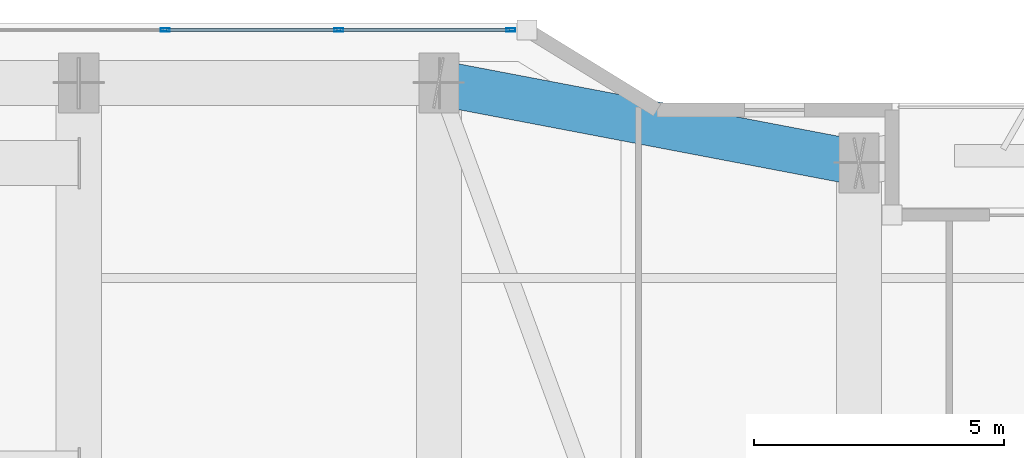
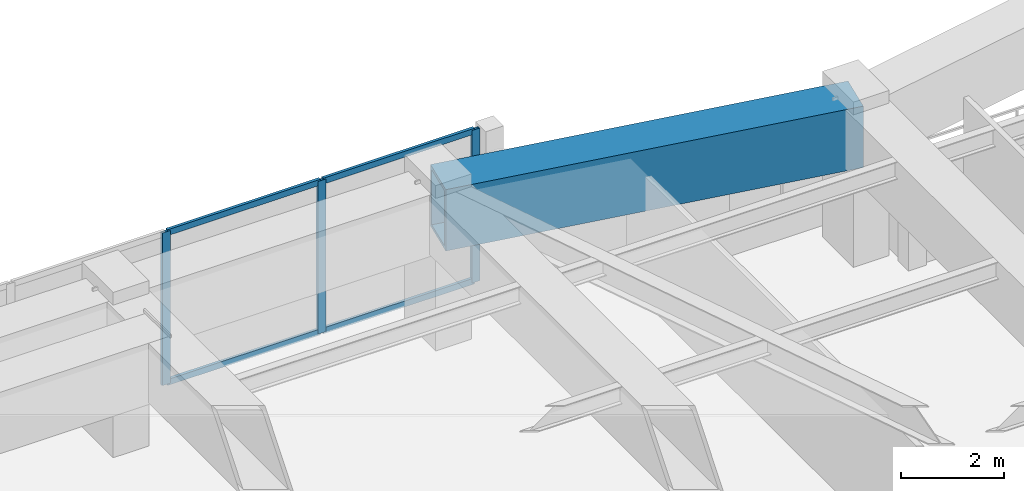
# One storey, part 19 of 30: 7 members, 1 beam, 1 element without a shape of its own.
"""IFC4 building model written with IfcOpenShell, lengths in metres."""

from ifc_helpers import new_model, si_unit, direction, frame, origin, origin_2d, place, context, subcontext, project, spatial, hollow_rectangle, extrude, material, layer, layer_set, material_profile, profile_set, type_object, element, aggregate, save


model = new_model("IFC4")

# Units and contexts
model_context = context("Model", 3, precision=1e-05, world=origin(), true_north=direction((0.0, 1.0)))
body_context = subcontext(model_context, "Body", "Model", "MODEL_VIEW")
ifc_project = project(units=[si_unit("LENGTHUNIT", "METRE"), si_unit("AREAUNIT", "SQUARE_METRE"), si_unit("VOLUMEUNIT", "CUBIC_METRE"), si_unit("PLANEANGLEUNIT", "RADIAN"), si_unit("MASSUNIT", "GRAM", prefix="KILO")], contexts=[model_context])

# Site, building, storey
site_placement = place(None, origin())
site = spatial("IfcSite", under=ifc_project, at=site_placement, CompositionType="ELEMENT")
building_placement = place(site_placement, origin())
building = spatial("IfcBuilding", under=site, at=building_placement, Name="Kiyonajd Concourse Tower", CompositionType="ELEMENT")
storey_placement = place(building_placement, frame((0.0, 0.0, 205.800048828125)))
storey = spatial("IfcBuildingStorey", under=building, at=storey_placement, Name="L52", CompositionType="ELEMENT", Elevation=205.800048828125)

# Beam
ifc_material_1 = material(Name="Steel ASTM A572 Grade 50", Category="steel")
ifc_material_profile_1 = material_profile(ifc_material_1, hollow_rectangle(XDim=0.89990234375, YDim=1.449951171875, WallThickness=0.074951171875, at=origin_2d()), Name="BOX-1450x900x75")
ifc_profile_set_1 = profile_set([ifc_material_profile_1], Name="Steel ASTM A572 Grade 50")
beam_type = type_object("IfcBeamType", Name="BM-XFER-1800", PredefinedType="BEAM", material=ifc_profile_set_1)
beam_placement = place(storey_placement, frame((48.0, 59.60009765625, 2.875), z_axis=(-0.982341315253, 0.187097675953, 0.0), x_axis=(-0.187097675953, -0.982341315253, 0.0)))
element("IfcBeam", 1, at=beam_placement, inside=storey, type_object=beam_type, Name="L52 Perimeter Bundled Tube Spandrel", PredefinedType="BEAM", context=body_context, shape_type="SweptSolid", body=[
    extrude(hollow_rectangle(XDim=0.89990234375, YDim=1.449951171875, WallThickness=0.074951171875, at=origin_2d()), origin(), (0.0, 0.0, 1.0), 8.55078125),
])

# Curtain wall, members
ifc_material_2 = material(Name="Thermally Broken Anodised Aluminium", Category="aluminium")
ifc_layer = layer(ifc_material_2, 0.179931640625)
ifc_layer_set = layer_set([ifc_layer], Name="Thermally Broken Anodised Aluminium")
curtain_wall_type = type_object("IfcCurtainWallType", Name="CW-SYS-03", PredefinedType="NOTDEFINED", material=ifc_layer_set)
curtain_wall_placement = place(storey_placement, origin())
curtain_wall = element("IfcCurtainWall", 2, at=curtain_wall_placement, inside=storey, type_object=curtain_wall_type, Name="L52 Unitised Curtain Wall CW3", PredefinedType="NOTDEFINED")
ifc_material_profile_2 = material_profile(ifc_material_2, hollow_rectangle(XDim=0.06494140625, YDim=0.179931640625, WallThickness=0.00390625, at=origin_2d()), Name="MULL-65x180")
ifc_profile_set_2 = profile_set([ifc_material_profile_2], Name="Thermally Broken Anodised Aluminium")
member_type_1 = type_object("IfcMemberType", Name="MB-CW-MULL1", PredefinedType="MULLION", material=ifc_profile_set_2)
member_1_placement = place(storey_placement, frame((34.12548828125, 62.260009765625, 0.0), z_axis=(0.0, 0.0, 1.0), x_axis=(0.0, 1.0, 0.0)))
member_1 = element("IfcMember", 3, at=member_1_placement, type_object=member_type_1, Name="CW3 mullion 4", PredefinedType="MULLION", context=body_context, shape_type="SweptSolid", body=[
    extrude(hollow_rectangle(XDim=0.06494140625, YDim=0.179931640625, WallThickness=0.00390625, at=origin_2d()), origin(), (0.0, 0.0, 1.0), 3.599853515625),
])
member_2_placement = place(storey_placement, frame((37.597900390625, 62.260009765625, 0.0), z_axis=(0.0, 0.0, 1.0), x_axis=(0.0, 1.0, 0.0)))
member_2 = element("IfcMember", 4, at=member_2_placement, type_object=member_type_1, Name="CW3 mullion 5", PredefinedType="MULLION", context=body_context, shape_type="SweptSolid", body=[
    extrude(hollow_rectangle(XDim=0.06494140625, YDim=0.179931640625, WallThickness=0.00390625, at=origin_2d()), origin(), (0.0, 0.0, 1.0), 3.599853515625),
])
member_3_placement = place(storey_placement, frame((41.037841796875, 62.260009765625, 0.0), z_axis=(0.0, 0.0, 1.0), x_axis=(0.0, 1.0, 0.0)))
member_3 = element("IfcMember", 5, at=member_3_placement, type_object=member_type_1, Name="CW3 mullion 6", PredefinedType="MULLION", context=body_context, shape_type="SweptSolid", body=[
    extrude(hollow_rectangle(XDim=0.06494140625, YDim=0.179931640625, WallThickness=0.00390625, at=origin_2d()), origin(), (0.0, 0.0, 1.0), 3.599853515625),
])
ifc_material_profile_3 = material_profile(ifc_material_2, hollow_rectangle(XDim=0.06494140625, YDim=0.139892578125, WallThickness=0.00390625, at=origin_2d()), Name="TRAN-65x140")
ifc_profile_set_3 = profile_set([ifc_material_profile_3], Name="Thermally Broken Anodised Aluminium")
member_type_2 = type_object("IfcMemberType", Name="MB-CW-TRAN1", PredefinedType="USERDEFINED", material=ifc_profile_set_3)
member_4_placement = place(storey_placement, frame((34.158203125, 62.260009765625, 0.032470703125), z_axis=(1.0, 0.0, 0.0), x_axis=(0.0, 1.0, 0.0)))
member_4 = element("IfcMember", 6, at=member_4_placement, type_object=member_type_2, Name="CW3 transom 4.1", ObjectType="TRANSOM", PredefinedType="USERDEFINED", context=body_context, shape_type="SweptSolid", body=[
    extrude(hollow_rectangle(XDim=0.06494140625, YDim=0.139892578125, WallThickness=0.00390625, at=origin_2d()), origin(), (0.0, 0.0, 1.0), 3.4072265625),
])
member_5_placement = place(storey_placement, frame((34.158203125, 62.260009765625, 3.5673828125), z_axis=(1.0, 0.0, 0.0), x_axis=(0.0, 1.0, 0.0)))
member_5 = element("IfcMember", 7, at=member_5_placement, type_object=member_type_2, Name="CW3 transom 4.2", ObjectType="TRANSOM", PredefinedType="USERDEFINED", context=body_context, shape_type="SweptSolid", body=[
    extrude(hollow_rectangle(XDim=0.06494140625, YDim=0.139892578125, WallThickness=0.00390625, at=origin_2d()), origin(), (0.0, 0.0, 1.0), 3.4072265625),
])
member_6_placement = place(storey_placement, frame((37.630615234375, 62.260009765625, 0.032470703125), z_axis=(1.0, 0.0, 0.0), x_axis=(0.0, 1.0, 0.0)))
member_6 = element("IfcMember", 8, at=member_6_placement, type_object=member_type_2, Name="CW3 transom 5.1", ObjectType="TRANSOM", PredefinedType="USERDEFINED", context=body_context, shape_type="SweptSolid", body=[
    extrude(hollow_rectangle(XDim=0.06494140625, YDim=0.139892578125, WallThickness=0.00390625, at=origin_2d()), origin(), (0.0, 0.0, 1.0), 3.374755859375),
])
member_7_placement = place(storey_placement, frame((37.630615234375, 62.260009765625, 3.5673828125), z_axis=(1.0, 0.0, 0.0), x_axis=(0.0, 1.0, 0.0)))
member_7 = element("IfcMember", 9, at=member_7_placement, type_object=member_type_2, Name="CW3 transom 5.2", ObjectType="TRANSOM", PredefinedType="USERDEFINED", context=body_context, shape_type="SweptSolid", body=[
    extrude(hollow_rectangle(XDim=0.06494140625, YDim=0.139892578125, WallThickness=0.00390625, at=origin_2d()), origin(), (0.0, 0.0, 1.0), 3.374755859375),
])
aggregate(curtain_wall, [member_1, member_2, member_3, member_4, member_5, member_6, member_7])

save(model, "model.ifc")
